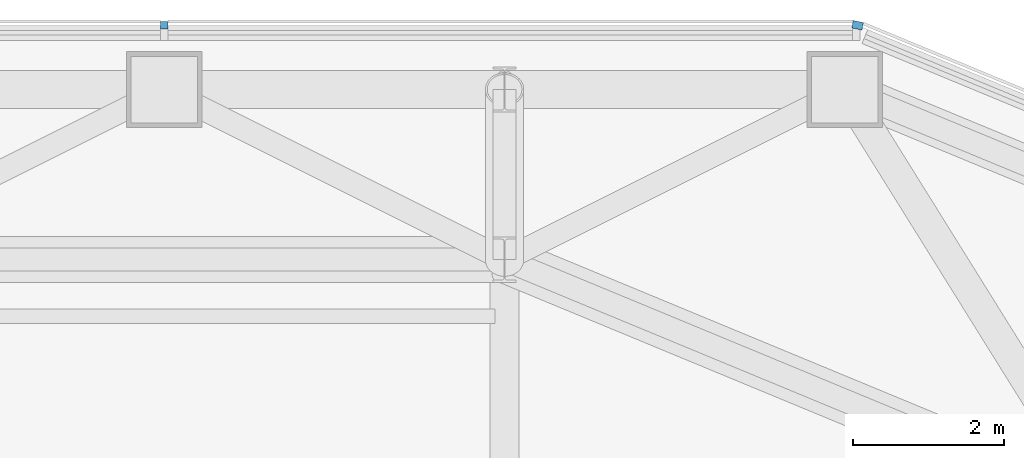
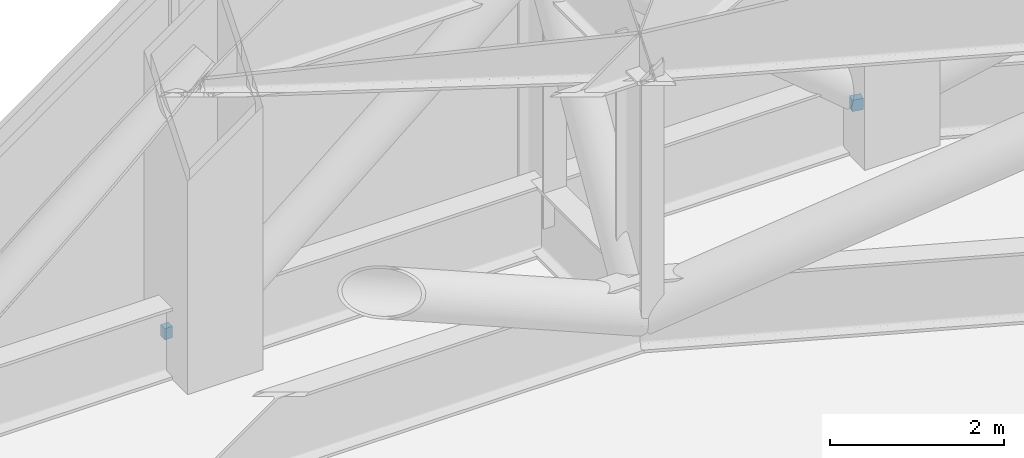
# One storey, part 28 of 33: 2 discrete accessories.
"""IFC4 building model written with IfcOpenShell, lengths in metres."""

import ifcopenshell
import ifcopenshell.guid

model = None  # the IFC model being written
_history = None  # IfcOwnerHistory: only IFC2X3 demands one
_inside = {}  # id of a spatial element -> (the spatial element, [elements in it])
_under = {}  # id of a project, library or spatial element -> (it, [spatial elements below it])
_declared = {}  # id of a project -> (the project, [libraries it declares])
_typed = {}  # id of a type object -> (the type object, [elements of that type])
_made_of = {}  # id of a material, layer set ... -> (it, [elements and type objects made of it])


def new_model(schema):
    """Start an empty IFC model of exactly this schema.

    Asked for "IFC4X3", IfcOpenShell would pick the latest addendum, in which some entities
    have other attributes; the version numbers below select the first issue.
    IFC2X3 requires an IfcOwnerHistory on every rooted entity: one is made here for all.
    """
    global model, _history
    if schema == "IFC4X3":
        model = ifcopenshell.file(schema_version=(4, 3, 0, 0))
    else:
        model = ifcopenshell.file(schema=schema)
    _inside.clear()
    _under.clear()
    _declared.clear()
    _typed.clear()
    _made_of.clear()
    _history = None
    if model.schema == "IFC2X3":
        org = make("IfcOrganization", Name="unknown")
        user = make(
            "IfcPersonAndOrganization",
            ThePerson=make("IfcPerson", FamilyName="unknown"),
            TheOrganization=org,
        )
        app = make(
            "IfcApplication",
            ApplicationDeveloper=org,
            Version="unknown",
            ApplicationFullName="unknown",
            ApplicationIdentifier="unknown",
        )
        _history = make(
            "IfcOwnerHistory",
            OwningUser=user,
            OwningApplication=app,
            ChangeAction="ADDED",
            CreationDate=0,
        )
    return model


def make(cls, **values):
    """One entity of the class cls with the attributes given. An attribute that is None is left unset."""
    return model.create_entity(
        cls, **{name: value for name, value in values.items() if value is not None}
    )


def rooted(cls, **values):
    """An entity with a GlobalId (a new one), such as an element, a storey or a relation."""
    return make(cls, GlobalId=ifcopenshell.guid.new(), OwnerHistory=_history, **values)


def si_unit(unit_type, name, prefix=None):
    """IfcSIUnit, for example si_unit("LENGTHUNIT", "METRE", prefix="MILLI")."""
    return make("IfcSIUnit", UnitType=unit_type, Prefix=prefix, Name=name)


def assignment(units):
    """IfcUnitAssignment: the units of a project."""
    return None if units is None else make("IfcUnitAssignment", Units=units)


def point(xyz):
    """IfcCartesianPoint."""
    return None if xyz is None else make("IfcCartesianPoint", Coordinates=xyz)


def direction(xyz):
    """IfcDirection."""
    return None if xyz is None else make("IfcDirection", DirectionRatios=xyz)


def frame(location, z_axis=None, x_axis=None):
    """IfcAxis2Placement3D, a coordinate frame: its origin and axes. An axis left out is left unset."""
    return make(
        "IfcAxis2Placement3D",
        Location=point(location),
        Axis=direction(z_axis),
        RefDirection=direction(x_axis),
    )


def frame_2d(location, x_axis=None):
    """IfcAxis2Placement2D, a coordinate frame in the plane: its origin and x axis."""
    return make(
        "IfcAxis2Placement2D", Location=point(location), RefDirection=direction(x_axis)
    )


def origin():
    """The frame at (0, 0, 0) with its axes left unset."""
    return frame((0.0, 0.0, 0.0))


def origin_2d():
    """The frame at (0, 0) in the plane with its x axis left unset."""
    return frame_2d((0.0, 0.0))


def place(relative_to, where):
    """IfcLocalPlacement: puts the frame where relative to a parent placement (None: the world)."""
    return make(
        "IfcLocalPlacement", PlacementRelTo=relative_to, RelativePlacement=where
    )


def context(
    kind, dimensions, precision=None, world=None, true_north=None, identifier=None
):
    """IfcGeometricRepresentationContext, for example the 3D "Model" context."""
    return make(
        "IfcGeometricRepresentationContext",
        ContextIdentifier=identifier,
        ContextType=kind,
        CoordinateSpaceDimension=dimensions,
        Precision=precision,
        WorldCoordinateSystem=world,
        TrueNorth=true_north,
    )


def subcontext(parent, identifier, kind, view, scale=None):
    """IfcGeometricRepresentationSubContext, for example "Body" below "Model"."""
    return make(
        "IfcGeometricRepresentationSubContext",
        ContextIdentifier=identifier,
        ContextType=kind,
        ParentContext=parent,
        TargetScale=scale,
        TargetView=view,
    )


def project(units=None, contexts=None):
    """IfcProject with its units and contexts."""
    return rooted(
        "IfcProject",
        Name="project",
        RepresentationContexts=contexts,
        UnitsInContext=assignment(units),
    )


def spatial(cls, under=None, at=None, **own):
    """A site, building, storey or space (cls), placed at a placement, below another one or the project."""
    s = rooted(cls, ObjectPlacement=at, **own)
    if under is not None:
        _under.setdefault(under.id(), (under, []))[1].append(s)
    return s


def profile(cls, at=None, kind="AREA", **sizes):
    """A parametric profile (cls). Its sizes go by their IFC names, for example OverallWidth=200.0."""
    return make(cls, ProfileType=kind, Position=at, **sizes)


def rectangle(**sizes):
    """IfcRectangleProfileDef."""
    return profile("IfcRectangleProfileDef", **sizes)


def extrude(swept, where, along, depth):
    """IfcExtrudedAreaSolid: the profile swept, set in the frame where, extruded along a direction by depth."""
    return make(
        "IfcExtrudedAreaSolid",
        SweptArea=swept,
        Position=where,
        ExtrudedDirection=direction(along),
        Depth=depth,
    )


def shape(context_of_items, identifier, shape_type, items):
    """IfcShapeRepresentation: the items that make up one representation, for example the "Body"."""
    return make(
        "IfcShapeRepresentation",
        ContextOfItems=context_of_items,
        RepresentationIdentifier=identifier,
        RepresentationType=shape_type,
        Items=items,
    )


def material(Name=None, Category=None):
    """IfcMaterial."""
    return make("IfcMaterial", Name=Name, Category=Category)


def made_of(thing, what):
    """Note that an element or type object is made of a material, layer set ...; save() writes the relation."""
    if what is not None:
        _made_of.setdefault(what.id(), (what, []))[1].append(thing)
    return thing


def type_object(cls, material=None, **own):
    """A type object (cls), such as IfcWallType, which elements share."""
    return made_of(rooted(cls, **own), material)


def element(
    cls,
    number,
    at=None,
    inside=None,
    cuts=None,
    type_object=None,
    material=None,
    context=None,
    identifier="Body",
    shape_type=None,
    held_by="IfcProductDefinitionShape",
    body=None,
    shapes=None,
    **own,
):
    """One element of the class cls, such as IfcWall. Its Tag is "e" and its number.

    at: its placement. inside: the storey or other place that contains it. cuts: it is an
    opening in that element (IfcRelVoidsElement). A single representation is given by context,
    identifier, shape_type and body (its items); several are given by shapes. held_by: the class
    of the entity that holds the representations. save() writes the other relations.
    """
    e = rooted(cls, Tag="e%d" % number, ObjectPlacement=at, **own)
    if body is not None:
        shapes = [shape(context, identifier, shape_type, body)]
    if shapes is not None:
        e.Representation = make(held_by, Representations=shapes)
    if inside is not None:
        _inside.setdefault(inside.id(), (inside, []))[1].append(e)
    if cuts is not None:
        rooted(
            "IfcRelVoidsElement", RelatingBuildingElement=cuts, RelatedOpeningElement=e
        )
    if type_object is not None:
        _typed.setdefault(type_object.id(), (type_object, []))[1].append(e)
    return made_of(e, material)


def aggregate(whole, parts):
    """IfcRelAggregates: a whole, such as a stair, and the parts it consists of."""
    return rooted("IfcRelAggregates", RelatingObject=whole, RelatedObjects=parts)


def save(model, path):
    """Write the relations noted so far, then the file.

    IfcRelAggregates (storeys below a building ...), IfcRelContainedInSpatialStructure (elements
    in a storey), IfcRelDefinesByType, IfcRelAssociatesMaterial and IfcRelDeclares: one each for
    every whole, place, type object, material and project.
    """
    for whole, parts in _under.values():
        aggregate(whole, parts)
    for where, things in _inside.values():
        rooted(
            "IfcRelContainedInSpatialStructure",
            RelatedElements=things,
            RelatingStructure=where,
        )
    for kind, things in _typed.values():
        rooted("IfcRelDefinesByType", RelatedObjects=things, RelatingType=kind)
    for what, things in _made_of.values():
        rooted("IfcRelAssociatesMaterial", RelatedObjects=things, RelatingMaterial=what)
    for by, libraries in _declared.values():
        rooted("IfcRelDeclares", RelatingContext=by, RelatedDefinitions=libraries)
    model.write(path)


model = new_model("IFC4")

# Units and contexts
model_context = context("Model", 3, precision=1e-05, world=origin(), true_north=direction((0.0, 1.0)))
body_context = subcontext(model_context, "Body", "Model", "MODEL_VIEW")
ifc_project = project(units=[si_unit("LENGTHUNIT", "METRE"), si_unit("AREAUNIT", "SQUARE_METRE"), si_unit("VOLUMEUNIT", "CUBIC_METRE"), si_unit("PLANEANGLEUNIT", "RADIAN"), si_unit("MASSUNIT", "GRAM", prefix="KILO")], contexts=[model_context])

# Site, building, storey
site_placement = place(None, origin())
site = spatial("IfcSite", under=ifc_project, at=site_placement, CompositionType="ELEMENT")
building_placement = place(site_placement, origin())
building = spatial("IfcBuilding", under=site, at=building_placement, Name="Siwar Civic Tower", CompositionType="ELEMENT")
storey_placement = place(building_placement, frame((0.0, 0.0, 94.199951171875)))
storey = spatial("IfcBuildingStorey", under=building, at=storey_placement, Name="L20", CompositionType="ELEMENT", Elevation=94.199951171875)

# Discrete accessories
ifc_material = material(Name="Stainless steel 316", Category="steel")
discrete_accessory_type = type_object("IfcDiscreteAccessoryType", Name="ENV-BRACKET", PredefinedType="BRACKET", material=ifc_material)
discrete_accessory_1_placement = place(storey_placement, frame((13.5, 32.35009765625, -0.1796875), z_axis=(0.0, 0.0, 1.0), x_axis=(0.0, 1.0, 0.0)))
element("IfcDiscreteAccessory", 1, at=discrete_accessory_1_placement, inside=storey, type_object=discrete_accessory_type, Name="Bracket outer skin joint N-01", PredefinedType="BRACKET", context=body_context, shape_type="SweptSolid", body=[
    extrude(rectangle(XDim=0.10009765625, YDim=0.10009765625, at=origin_2d()), origin(), (0.0, 0.0, 1.0), 0.159912109375),
])
discrete_accessory_2_placement = place(storey_placement, frame((22.669189453125, 32.35009765625, -0.1796875), z_axis=(0.0, 0.0, 1.0), x_axis=(0.195090322016, 0.980785280403, 0.0)))
element("IfcDiscreteAccessory", 2, at=discrete_accessory_2_placement, inside=storey, type_object=discrete_accessory_type, Name="Bracket outer skin joint V06", PredefinedType="BRACKET", context=body_context, shape_type="SweptSolid", body=[
    extrude(rectangle(XDim=0.10205078125, YDim=0.13720703125, at=origin_2d()), origin(), (0.0, 0.0, 1.0), 0.159912109375),
])

save(model, "model.ifc")
